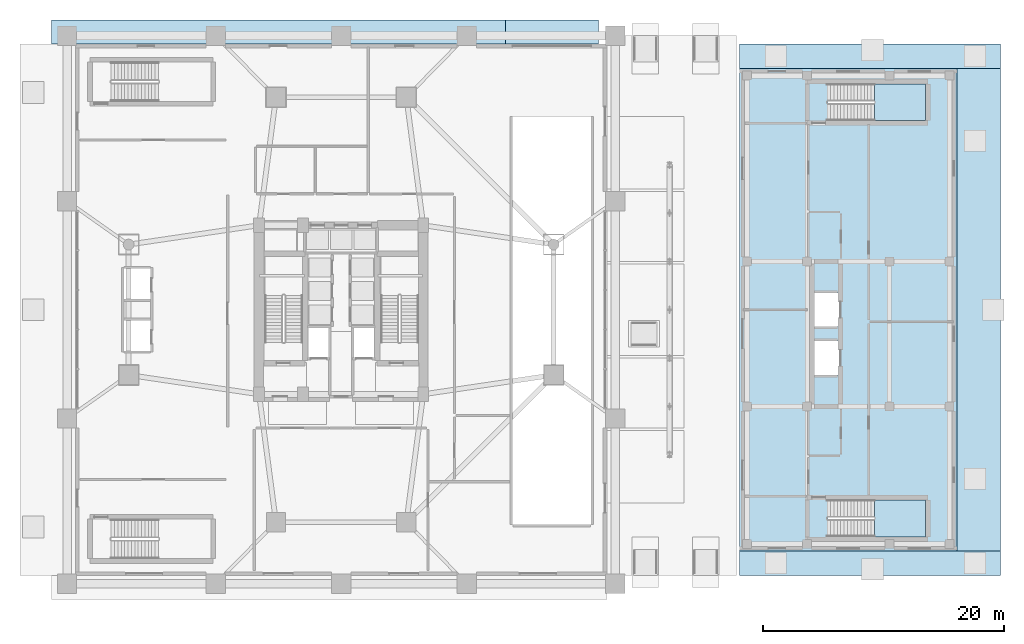
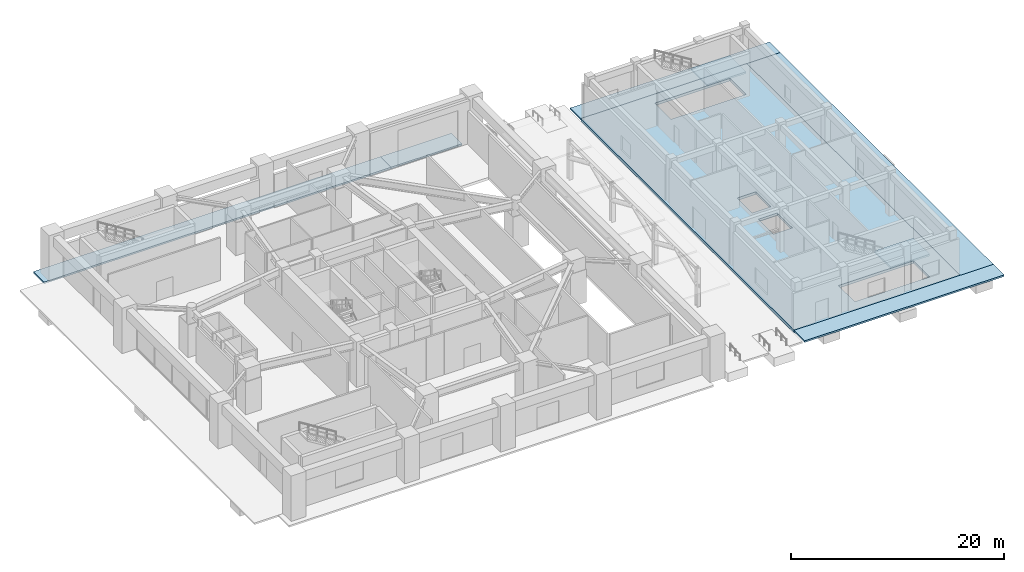
# One storey, part 16 of 27: 8 slabs, 2 elements without a shape of their own.
"""IFC4 building model written with IfcOpenShell, lengths in metres."""

import ifcopenshell
import ifcopenshell.guid

model = None  # the IFC model being written
_history = None  # IfcOwnerHistory: only IFC2X3 demands one
_inside = {}  # id of a spatial element -> (the spatial element, [elements in it])
_under = {}  # id of a project, library or spatial element -> (it, [spatial elements below it])
_declared = {}  # id of a project -> (the project, [libraries it declares])
_typed = {}  # id of a type object -> (the type object, [elements of that type])
_made_of = {}  # id of a material, layer set ... -> (it, [elements and type objects made of it])


def new_model(schema):
    """Start an empty IFC model of exactly this schema.

    Asked for "IFC4X3", IfcOpenShell would pick the latest addendum, in which some entities
    have other attributes; the version numbers below select the first issue.
    IFC2X3 requires an IfcOwnerHistory on every rooted entity: one is made here for all.
    """
    global model, _history
    if schema == "IFC4X3":
        model = ifcopenshell.file(schema_version=(4, 3, 0, 0))
    else:
        model = ifcopenshell.file(schema=schema)
    _inside.clear()
    _under.clear()
    _declared.clear()
    _typed.clear()
    _made_of.clear()
    _history = None
    if model.schema == "IFC2X3":
        org = make("IfcOrganization", Name="unknown")
        user = make(
            "IfcPersonAndOrganization",
            ThePerson=make("IfcPerson", FamilyName="unknown"),
            TheOrganization=org,
        )
        app = make(
            "IfcApplication",
            ApplicationDeveloper=org,
            Version="unknown",
            ApplicationFullName="unknown",
            ApplicationIdentifier="unknown",
        )
        _history = make(
            "IfcOwnerHistory",
            OwningUser=user,
            OwningApplication=app,
            ChangeAction="ADDED",
            CreationDate=0,
        )
    return model


def make(cls, **values):
    """One entity of the class cls with the attributes given. An attribute that is None is left unset."""
    return model.create_entity(
        cls, **{name: value for name, value in values.items() if value is not None}
    )


def rooted(cls, **values):
    """An entity with a GlobalId (a new one), such as an element, a storey or a relation."""
    return make(cls, GlobalId=ifcopenshell.guid.new(), OwnerHistory=_history, **values)


def si_unit(unit_type, name, prefix=None):
    """IfcSIUnit, for example si_unit("LENGTHUNIT", "METRE", prefix="MILLI")."""
    return make("IfcSIUnit", UnitType=unit_type, Prefix=prefix, Name=name)


def assignment(units):
    """IfcUnitAssignment: the units of a project."""
    return None if units is None else make("IfcUnitAssignment", Units=units)


def point(xyz):
    """IfcCartesianPoint."""
    return None if xyz is None else make("IfcCartesianPoint", Coordinates=xyz)


def direction(xyz):
    """IfcDirection."""
    return None if xyz is None else make("IfcDirection", DirectionRatios=xyz)


def frame(location, z_axis=None, x_axis=None):
    """IfcAxis2Placement3D, a coordinate frame: its origin and axes. An axis left out is left unset."""
    return make(
        "IfcAxis2Placement3D",
        Location=point(location),
        Axis=direction(z_axis),
        RefDirection=direction(x_axis),
    )


def origin():
    """The frame at (0, 0, 0) with its axes left unset."""
    return frame((0.0, 0.0, 0.0))


def place(relative_to, where):
    """IfcLocalPlacement: puts the frame where relative to a parent placement (None: the world)."""
    return make(
        "IfcLocalPlacement", PlacementRelTo=relative_to, RelativePlacement=where
    )


def context(
    kind, dimensions, precision=None, world=None, true_north=None, identifier=None
):
    """IfcGeometricRepresentationContext, for example the 3D "Model" context."""
    return make(
        "IfcGeometricRepresentationContext",
        ContextIdentifier=identifier,
        ContextType=kind,
        CoordinateSpaceDimension=dimensions,
        Precision=precision,
        WorldCoordinateSystem=world,
        TrueNorth=true_north,
    )


def subcontext(parent, identifier, kind, view, scale=None):
    """IfcGeometricRepresentationSubContext, for example "Body" below "Model"."""
    return make(
        "IfcGeometricRepresentationSubContext",
        ContextIdentifier=identifier,
        ContextType=kind,
        ParentContext=parent,
        TargetScale=scale,
        TargetView=view,
    )


def project(units=None, contexts=None):
    """IfcProject with its units and contexts."""
    return rooted(
        "IfcProject",
        Name="project",
        RepresentationContexts=contexts,
        UnitsInContext=assignment(units),
    )


def spatial(cls, under=None, at=None, **own):
    """A site, building, storey or space (cls), placed at a placement, below another one or the project."""
    s = rooted(cls, ObjectPlacement=at, **own)
    if under is not None:
        _under.setdefault(under.id(), (under, []))[1].append(s)
    return s


def polyline(points):
    """IfcPolyline through the points."""
    return make("IfcPolyline", Points=[point(p) for p in points])


def outline(outer, holes=None, kind="AREA"):
    """IfcArbitraryClosedProfileDef: a profile drawn as a closed curve; with holes, ...WithVoids."""
    if holes is None:
        return make("IfcArbitraryClosedProfileDef", ProfileType=kind, OuterCurve=outer)
    return make(
        "IfcArbitraryProfileDefWithVoids",
        ProfileType=kind,
        OuterCurve=outer,
        InnerCurves=holes,
    )


def extrude(swept, where, along, depth):
    """IfcExtrudedAreaSolid: the profile swept, set in the frame where, extruded along a direction by depth."""
    return make(
        "IfcExtrudedAreaSolid",
        SweptArea=swept,
        Position=where,
        ExtrudedDirection=direction(along),
        Depth=depth,
    )


def shape(context_of_items, identifier, shape_type, items):
    """IfcShapeRepresentation: the items that make up one representation, for example the "Body"."""
    return make(
        "IfcShapeRepresentation",
        ContextOfItems=context_of_items,
        RepresentationIdentifier=identifier,
        RepresentationType=shape_type,
        Items=items,
    )


def material(Name=None, Category=None):
    """IfcMaterial."""
    return make("IfcMaterial", Name=Name, Category=Category)


def layer(
    of_material, thickness, ventilated=None, Name=None, Category=None, Priority=None
):
    """IfcMaterialLayer: one layer of a wall or slab, of a material (None: an air gap)."""
    return make(
        "IfcMaterialLayer",
        Material=of_material,
        LayerThickness=thickness,
        IsVentilated=ventilated,
        Name=Name,
        Category=Category,
        Priority=Priority,
    )


def layer_set(layers, Name=None):
    """IfcMaterialLayerSet."""
    return make("IfcMaterialLayerSet", MaterialLayers=layers, LayerSetName=Name)


def made_of(thing, what):
    """Note that an element or type object is made of a material, layer set ...; save() writes the relation."""
    if what is not None:
        _made_of.setdefault(what.id(), (what, []))[1].append(thing)
    return thing


def type_object(cls, material=None, **own):
    """A type object (cls), such as IfcWallType, which elements share."""
    return made_of(rooted(cls, **own), material)


def element(
    cls,
    number,
    at=None,
    inside=None,
    cuts=None,
    type_object=None,
    material=None,
    context=None,
    identifier="Body",
    shape_type=None,
    held_by="IfcProductDefinitionShape",
    body=None,
    shapes=None,
    **own,
):
    """One element of the class cls, such as IfcWall. Its Tag is "e" and its number.

    at: its placement. inside: the storey or other place that contains it. cuts: it is an
    opening in that element (IfcRelVoidsElement). A single representation is given by context,
    identifier, shape_type and body (its items); several are given by shapes. held_by: the class
    of the entity that holds the representations. save() writes the other relations.
    """
    e = rooted(cls, Tag="e%d" % number, ObjectPlacement=at, **own)
    if body is not None:
        shapes = [shape(context, identifier, shape_type, body)]
    if shapes is not None:
        e.Representation = make(held_by, Representations=shapes)
    if inside is not None:
        _inside.setdefault(inside.id(), (inside, []))[1].append(e)
    if cuts is not None:
        rooted(
            "IfcRelVoidsElement", RelatingBuildingElement=cuts, RelatedOpeningElement=e
        )
    if type_object is not None:
        _typed.setdefault(type_object.id(), (type_object, []))[1].append(e)
    return made_of(e, material)


def aggregate(whole, parts):
    """IfcRelAggregates: a whole, such as a stair, and the parts it consists of."""
    return rooted("IfcRelAggregates", RelatingObject=whole, RelatedObjects=parts)


def save(model, path):
    """Write the relations noted so far, then the file.

    IfcRelAggregates (storeys below a building ...), IfcRelContainedInSpatialStructure (elements
    in a storey), IfcRelDefinesByType, IfcRelAssociatesMaterial and IfcRelDeclares: one each for
    every whole, place, type object, material and project.
    """
    for whole, parts in _under.values():
        aggregate(whole, parts)
    for where, things in _inside.values():
        rooted(
            "IfcRelContainedInSpatialStructure",
            RelatedElements=things,
            RelatingStructure=where,
        )
    for kind, things in _typed.values():
        rooted("IfcRelDefinesByType", RelatedObjects=things, RelatingType=kind)
    for what, things in _made_of.values():
        rooted("IfcRelAssociatesMaterial", RelatedObjects=things, RelatingMaterial=what)
    for by, libraries in _declared.values():
        rooted("IfcRelDeclares", RelatingContext=by, RelatedDefinitions=libraries)
    model.write(path)


model = new_model("IFC4")

# Units and contexts
model_context = context("Model", 3, precision=1e-05, world=origin(), true_north=direction((0.0, 1.0)))
body_context = subcontext(model_context, "Body", "Model", "MODEL_VIEW")
ifc_project = project(units=[si_unit("LENGTHUNIT", "METRE"), si_unit("AREAUNIT", "SQUARE_METRE"), si_unit("VOLUMEUNIT", "CUBIC_METRE"), si_unit("PLANEANGLEUNIT", "RADIAN"), si_unit("MASSUNIT", "GRAM", prefix="KILO")], contexts=[model_context])

# Site, building, storey
site_placement = place(None, origin())
site = spatial("IfcSite", under=ifc_project, at=site_placement, CompositionType="ELEMENT")
building_placement = place(site_placement, origin())
building = spatial("IfcBuilding", under=site, at=building_placement, Name="Veraguas Prism Commons", CompositionType="ELEMENT")
storey_placement = place(building_placement, origin())
storey = spatial("IfcBuildingStorey", under=building, at=storey_placement, Name="L00", CompositionType="ELEMENT", Elevation=0.0)

# Slab
ifc_material_1 = material(Name="Concrete C45/55", Category="concrete")
ifc_layer_1 = layer(ifc_material_1, 0.300048828125, Name="Podium Concourse and Clinic Slab RC 300", Category="concrete")
ifc_layer_set_1 = layer_set([ifc_layer_1], Name="Concrete C45/55")
slab_type_1 = type_object("IfcSlabType", Name="Podium Concourse and Clinic Slab RC 300", PredefinedType="FLOOR", material=ifc_layer_set_1)
slab_1_placement = place(storey_placement, frame((0.0, 0.0, -0.300048828125)))
element("IfcSlab", 1, at=slab_1_placement, inside=storey, type_object=slab_type_1, Name="Health Centre Floor Slab L00", PredefinedType="FLOOR", context=body_context, shape_type="SweptSolid", body=[
    extrude(outline(polyline([(57.0, 4.0), (75.0, 4.0), (75.0, 44.0), (57.0, 44.0), (57.0, 4.0)]), holes=[polyline([(64.280029296875, 5.199951171875), (72.39990234375, 5.199951171875), (72.39990234375, 8.25), (64.280029296875, 8.25), (64.280029296875, 5.199951171875)]), polyline([(64.280029296875, 39.659912109375), (72.39990234375, 39.659912109375), (72.39990234375, 42.7099609375), (64.280029296875, 42.7099609375), (64.280029296875, 39.659912109375)]), polyline([(63.199951171875, 18.60009765625), (65.25, 18.60009765625), (65.25, 21.39990234375), (63.199951171875, 21.39990234375), (63.199951171875, 18.60009765625)]), polyline([(63.199951171875, 22.60009765625), (65.25, 22.60009765625), (65.25, 25.39990234375), (63.199951171875, 25.39990234375), (63.199951171875, 22.60009765625)])]), origin(), (0.0, 0.0, 1.0), 0.300048828125),
])

# Stair, slab
ifc_material_2 = material(Name="Precast concrete C45/55", Category="concrete")
stair_type = type_object("IfcStairType", Name="Dogleg Core Stair 1450W 30R 13", PredefinedType="HALF_TURN_STAIR", material=ifc_material_2)
stair_1_placement = place(storey_placement, origin())
stair_1 = element("IfcStair", 2, at=stair_1_placement, inside=storey, type_object=stair_type, Name="Protected Exit Stair ST-H1 L00", PredefinedType="HALF_TURN_STAIR")
ifc_layer_2 = layer(ifc_material_2, 0.199951171875, Name="Precast Stair and Ramp Landing Slab 200", Category="concrete")
ifc_layer_set_2 = layer_set([ifc_layer_2], Name="Precast concrete C45/55")
slab_type_2 = type_object("IfcSlabType", Name="Precast Stair and Ramp Landing Slab 200", PredefinedType="LANDING", material=ifc_layer_set_2)
slab_2_placement = place(storey_placement, frame((0.0, 0.0, 2.39990234375)))
slab_2 = element("IfcSlab", 3, at=slab_2_placement, type_object=slab_type_2, Name="ST-13 Landing 1", PredefinedType="LANDING", context=body_context, shape_type="SweptSolid", body=[
    extrude(outline(polyline([(68.169921875, 5.199951171875), (72.39990234375, 5.199951171875), (72.39990234375, 8.25), (68.169921875, 8.25), (68.169921875, 5.199951171875)])), origin(), (0.0, 0.0, 1.0), 0.2001953125),
])
aggregate(stair_1, [slab_2])

stair_2_placement = place(storey_placement, origin())
stair_2 = element("IfcStair", 4, at=stair_2_placement, inside=storey, type_object=stair_type, Name="Protected Exit Stair ST-H2 L00", PredefinedType="HALF_TURN_STAIR")
slab_3_placement = place(storey_placement, frame((0.0, 0.0, 2.39990234375)))
slab_3 = element("IfcSlab", 5, at=slab_3_placement, type_object=slab_type_2, Name="ST-13 Landing 1", PredefinedType="LANDING", context=body_context, shape_type="SweptSolid", body=[
    extrude(outline(polyline([(68.169921875, 39.659912109375), (72.39990234375, 39.659912109375), (72.39990234375, 42.7099609375), (68.169921875, 42.7099609375), (68.169921875, 39.659912109375)])), origin(), (0.0, 0.0, 1.0), 0.2001953125),
])
aggregate(stair_2, [slab_3])

# Slabs
ifc_layer_3 = layer(ifc_material_2, 0.18994140625, Name="Shared Public Plaza Paving Slab 190", Category="concrete")
ifc_layer_set_3 = layer_set([ifc_layer_3], Name="Precast concrete C45/55")
slab_type_3 = type_object("IfcSlabType", Name="Shared Public Plaza Paving Slab 190", PredefinedType="USERDEFINED", material=ifc_layer_set_3)
slab_4_placement = place(storey_placement, frame((0.0, 0.0, -0.18994140625)))
element("IfcSlab", 6, at=slab_4_placement, inside=storey, type_object=slab_type_3, Name="Car Park Ramp Exterior Driveway Apron", ObjectType="PAVING", PredefinedType="USERDEFINED", context=body_context, shape_type="SweptSolid", body=[
    extrude(outline(polyline([(37.60009765625, 46.0), (45.300048828125, 46.0), (45.300048828125, 48.0), (37.60009765625, 48.0), (37.60009765625, 46.0)])), origin(), (0.0, 0.0, 1.0), 0.18994140625),
])
slab_5_placement = place(storey_placement, frame((0.0, 0.0, -0.18994140625)))
element("IfcSlab", 7, at=slab_5_placement, inside=storey, type_object=slab_type_3, Name="North Promenade Sidewalk", ObjectType="PAVING", PredefinedType="USERDEFINED", context=body_context, shape_type="SweptSolid", body=[
    extrude(outline(polyline([(0.0, 46.0), (37.60009765625, 46.0), (37.60009765625, 48.0), (0.0, 48.0), (0.0, 46.0)])), origin(), (0.0, 0.0, 1.0), 0.18994140625),
])
slab_6_placement = place(storey_placement, frame((0.0, 0.0, -0.18994140625)))
element("IfcSlab", 8, at=slab_6_placement, inside=storey, type_object=slab_type_3, Name="Health Centre South Entrance Apron", ObjectType="PAVING", PredefinedType="USERDEFINED", context=body_context, shape_type="SweptSolid", body=[
    extrude(outline(polyline([(57.0, 2.0), (78.60009765625, 2.0), (78.60009765625, 4.0), (57.0, 4.0), (57.0, 2.0)])), origin(), (0.0, 0.0, 1.0), 0.18994140625),
])
slab_7_placement = place(storey_placement, frame((0.0, 0.0, -0.18994140625)))
element("IfcSlab", 9, at=slab_7_placement, inside=storey, type_object=slab_type_3, Name="Health Centre East Ambulance Promenade", ObjectType="PAVING", PredefinedType="USERDEFINED", context=body_context, shape_type="SweptSolid", body=[
    extrude(outline(polyline([(75.0, 4.0), (78.60009765625, 4.0), (78.60009765625, 44.0), (75.0, 44.0), (75.0, 4.0)])), origin(), (0.0, 0.0, 1.0), 0.18994140625),
])
slab_8_placement = place(storey_placement, frame((0.0, 0.0, -0.18994140625)))
element("IfcSlab", 10, at=slab_8_placement, inside=storey, type_object=slab_type_3, Name="Health Centre North Exit Apron", ObjectType="PAVING", PredefinedType="USERDEFINED", context=body_context, shape_type="SweptSolid", body=[
    extrude(outline(polyline([(57.0, 44.0), (78.60009765625, 44.0), (78.60009765625, 46.0), (57.0, 46.0), (57.0, 44.0)])), origin(), (0.0, 0.0, 1.0), 0.18994140625),
])

save(model, "model.ifc")
